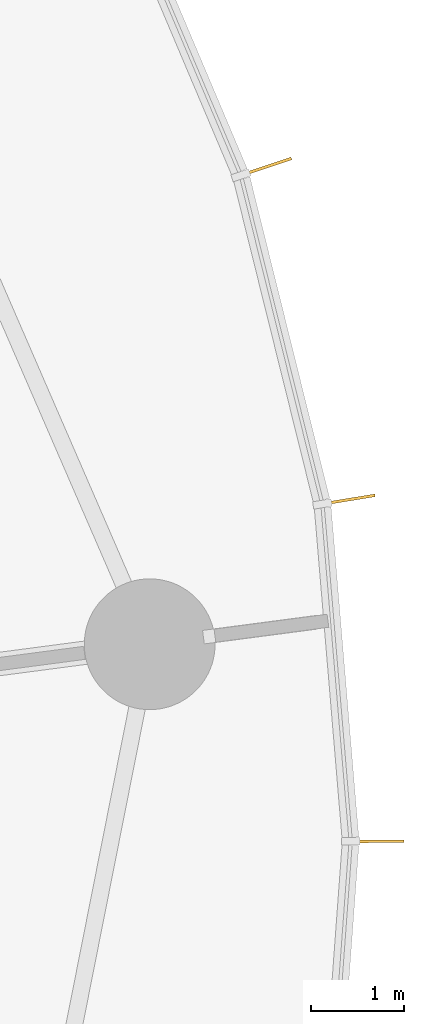
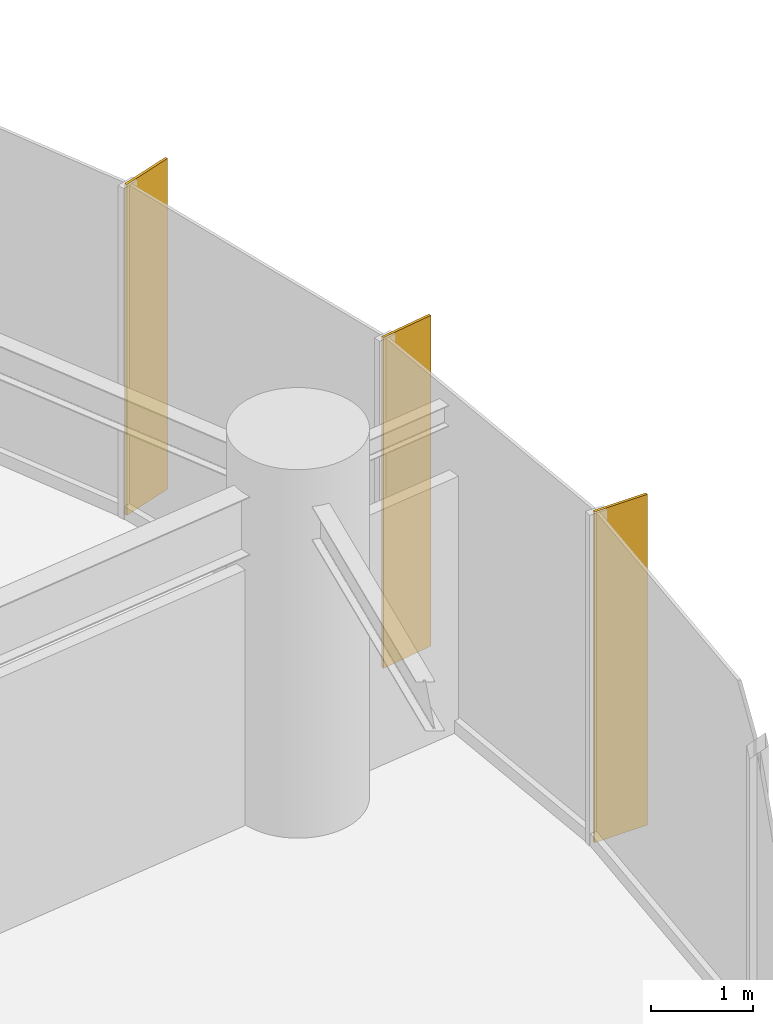
# One storey, part 19 of 19: 3 shading devices.
"""IFC4 building model written with IfcOpenShell, lengths in metres."""

from ifc_helpers import new_model, si_unit, direction, frame, origin, origin_2d, place, context, subcontext, project, spatial, rectangle, extrude, source, transform, mapped, material, material_profile, profile_set, type_object, element, save


model = new_model("IFC4")

# Units and contexts
model_context = context("Model", 3, precision=1e-05, world=origin(), true_north=direction((0.0, 1.0)))
body_context = subcontext(model_context, "Body", "Model", "MODEL_VIEW")
ifc_project = project(units=[si_unit("LENGTHUNIT", "METRE"), si_unit("AREAUNIT", "SQUARE_METRE"), si_unit("VOLUMEUNIT", "CUBIC_METRE"), si_unit("PLANEANGLEUNIT", "RADIAN"), si_unit("MASSUNIT", "GRAM", prefix="KILO")], contexts=[model_context])

# Site, building, storey
site_placement = place(None, origin())
site = spatial("IfcSite", under=ifc_project, at=site_placement, CompositionType="ELEMENT")
building_placement = place(site_placement, origin())
building = spatial("IfcBuilding", under=site, at=building_placement, Name="Spindrift Exchange Tower", CompositionType="ELEMENT")
storey_placement = place(building_placement, frame((0.0, 0.0, 44.60009765625)))
storey = spatial("IfcBuildingStorey", under=building, at=storey_placement, Name="L10", CompositionType="ELEMENT", Elevation=44.60009765625)

# Shading devices
ifc_material = material(Name="Bronze anodised aluminium", Category="aluminium")
ifc_material_profile = material_profile(ifc_material, rectangle(XDim=0.030029296875, YDim=0.60009765625, at=origin_2d()), Name="WIND FIN 30X600")
ifc_profile_set = profile_set([ifc_material_profile], Name="Bronze anodised aluminium")
shading_device_type = type_object("IfcShadingDeviceType", Name="WIND FIN 30X600", PredefinedType="USERDEFINED", material=ifc_profile_set)
shared_shape = source(origin(), body_context, "Body", "SweptSolid", [
    extrude(rectangle(XDim=0.030029296875, YDim=0.60009765625, at=origin_2d()), origin(), (0.0, 0.0, 1.0), 3.949951171875),
])
for number, where, z_axis, x_axis, name in (
    (1, (90.10546875, 54.283203125, 0.0), (0.0, 0.0, 1.0), (-0.162695716031, 0.986676291387, 0.0), "L10 wind fin 2"),
    (2, (89.222412109375, 57.842529296875, 0.0), (0.0, 0.0, 1.0), (-0.316170661051, 0.948702331129, 0.0), "L10 wind fin 3"),
    (3, (90.412109375, 50.629150390625, 0.0), (0.0, 0.0, 1.0), (-0.005148698545, 0.999986745364, 0.0), "L10 wind fin 4"),
):
    element("IfcShadingDevice", number, at=place(storey_placement, frame(where, z_axis=z_axis, x_axis=x_axis)), inside=storey, type_object=shading_device_type, Name=name, ObjectType="FIN", PredefinedType="USERDEFINED", context=body_context, shape_type="MappedRepresentation", body=[
        mapped(shared_shape, transform((0.0, 0.0, 0.0), scale=1.0)),
    ])

save(model, "model.ifc")
